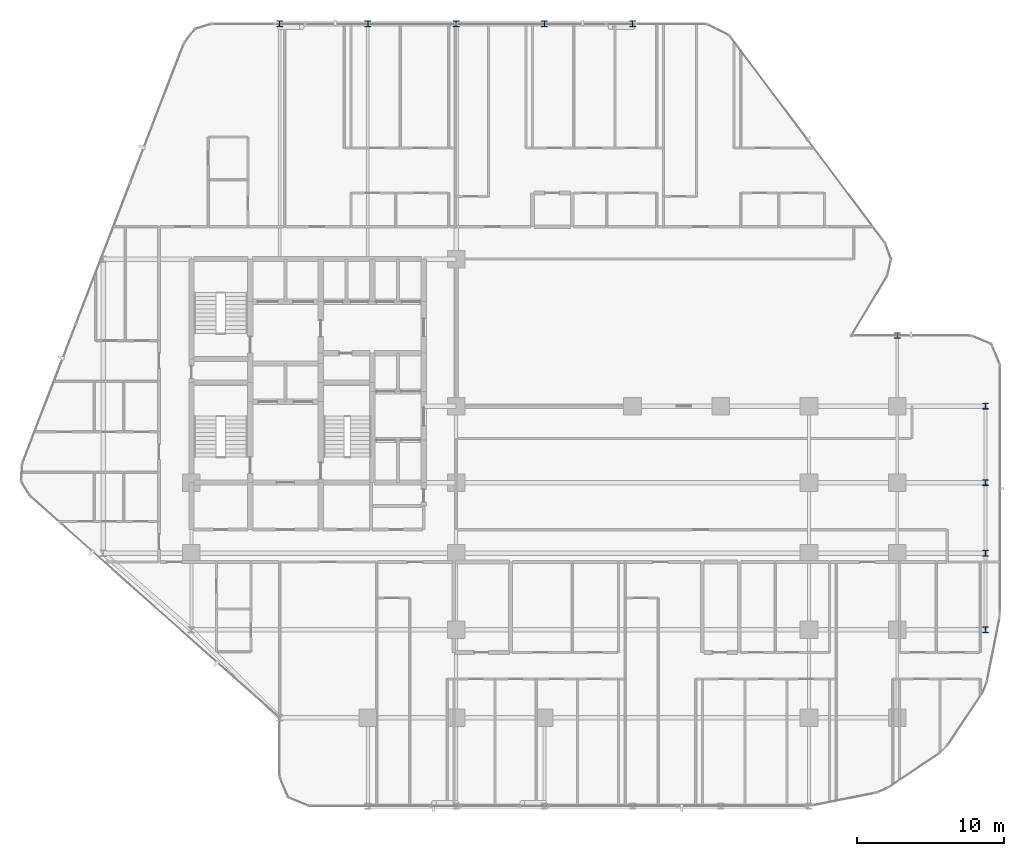
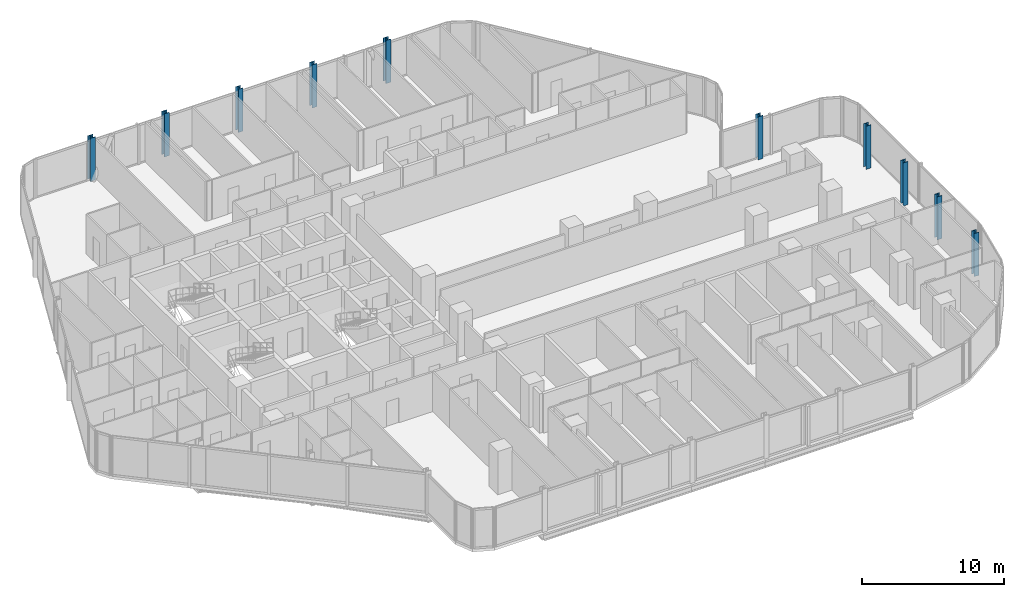
# One storey, part 2 of 34: 10 columns.
"""IFC4 building model written with IfcOpenShell, lengths in metres."""

from ifc_helpers import new_model, si_unit, direction, frame, origin, origin_2d, place, context, subcontext, project, spatial, i_section, extrude, material, material_profile, profile_set, type_object, element, save


model = new_model("IFC4")

# Units and contexts
model_context = context("Model", 3, precision=1e-05, world=origin(), true_north=direction((0.0, 1.0)))
body_context = subcontext(model_context, "Body", "Model", "MODEL_VIEW")
ifc_project = project(units=[si_unit("LENGTHUNIT", "METRE"), si_unit("AREAUNIT", "SQUARE_METRE"), si_unit("VOLUMEUNIT", "CUBIC_METRE"), si_unit("PLANEANGLEUNIT", "RADIAN"), si_unit("MASSUNIT", "GRAM", prefix="KILO")], contexts=[model_context])

# Site, building, storey
site_placement = place(None, origin())
site = spatial("IfcSite", under=ifc_project, at=site_placement, CompositionType="ELEMENT")
building_placement = place(site_placement, origin())
building = spatial("IfcBuilding", under=site, at=building_placement, Name="Keshet Zoharim Tower", CompositionType="ELEMENT")
storey_placement = place(building_placement, frame((0.0, 0.0, 53.60009765625)))
storey = spatial("IfcBuildingStorey", under=building, at=storey_placement, Name="L12", CompositionType="ELEMENT", Elevation=53.60009765625)

# Columns
ifc_material = material(Name="Steel S355", Category="steel")
ifc_material_profile = material_profile(ifc_material, i_section(OverallWidth=0.40087890625, OverallDepth=0.39892578125, WebThickness=0.02490234375, FlangeThickness=0.03955078125, FilletRadius=0.014892578125, at=origin_2d()), Name="HD400x314")
ifc_profile_set = profile_set([ifc_material_profile], Name="Steel S355")
column_type = type_object("IfcColumnType", Name="COL-HD314", PredefinedType="COLUMN", material=ifc_profile_set)
for number, where, z_axis, x_axis, name in (
    (1, (21.0, 53.89990234375, 0.0), (0.0, 0.0, 1.0), (1.0, 0.0, 0.0), "L12 Column 4L"),
    (2, (27.0, 53.89990234375, 0.0), (0.0, 0.0, 1.0), (1.0, 0.0, 0.0), "L12 Column 5L"),
    (3, (33.0, 53.89990234375, 0.0), (0.0, 0.0, 1.0), (1.0, 0.0, 0.0), "L12 Column 6L"),
    (4, (39.0, 53.89990234375, 0.0), (0.0, 0.0, 1.0), (1.0, 0.0, 0.0), "L12 Column 7L"),
    (5, (45.0, 53.89990234375, 0.0), (0.0, 0.0, 1.0), (1.0, 0.0, 0.0), "L12 Column 8L"),
    (6, (63.0, 32.699951171875, 0.0), (0.0, 0.0, 1.0), (1.0, 0.0, 0.0), "L12 Column 11G"),
    (7, (69.0, 12.699951171875, 0.0), (0.0, 0.0, 1.0), (1.0, 0.0, 0.0), "L12 Column 12C"),
    (8, (69.0, 17.89990234375, 0.0), (0.0, 0.0, 1.0), (1.0, 0.0, 0.0), "L12 Column 12D"),
    (9, (69.0, 22.699951171875, 0.0), (0.0, 0.0, 1.0), (1.0, 0.0, 0.0), "L12 Column 12E"),
    (10, (69.0, 27.89990234375, 0.0), (0.0, 0.0, 1.0), (1.0, 0.0, 0.0), "L12 Column 12F"),
):
    element("IfcColumn", number, at=place(storey_placement, frame(where, z_axis=z_axis, x_axis=x_axis)), inside=storey, type_object=column_type, Name=name, PredefinedType="COLUMN", context=body_context, shape_type="SweptSolid", body=[
        extrude(i_section(OverallWidth=0.40087890625, OverallDepth=0.39892578125, WebThickness=0.02490234375, FlangeThickness=0.03955078125, FilletRadius=0.014892578125, at=origin_2d()), origin(), (0.0, 0.0, 1.0), 3.699951171875),
    ])

save(model, "model.ifc")
